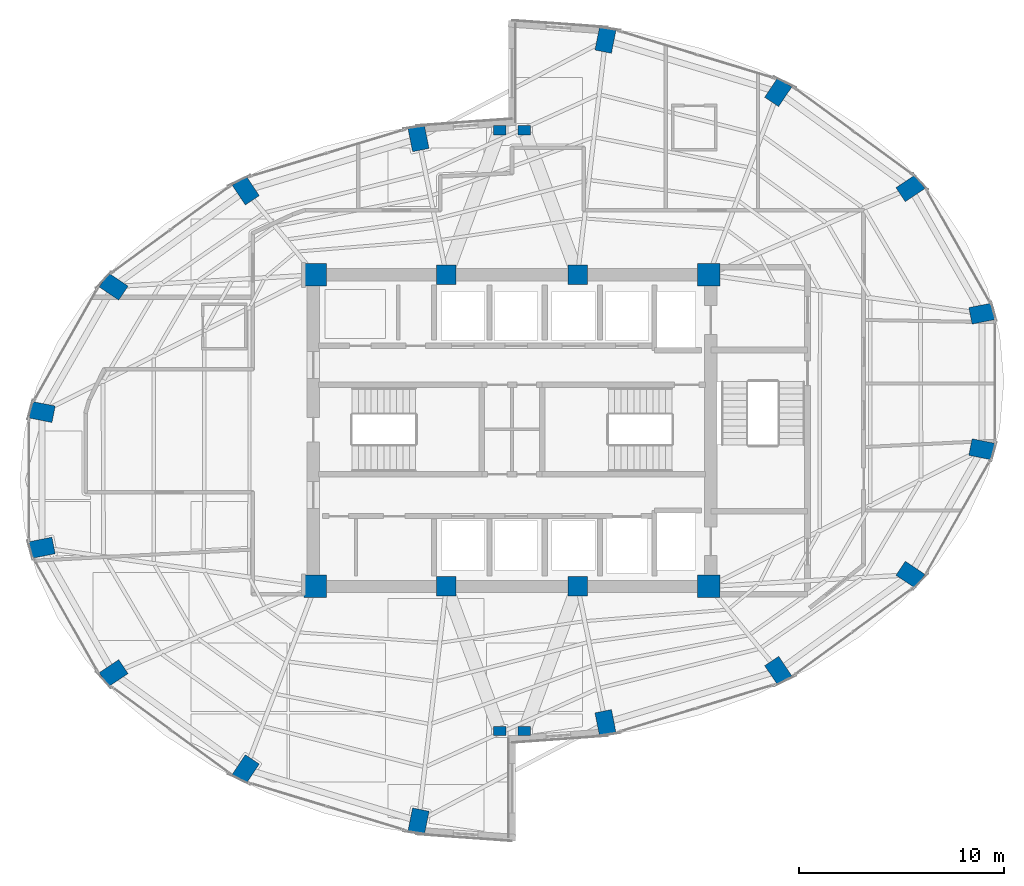
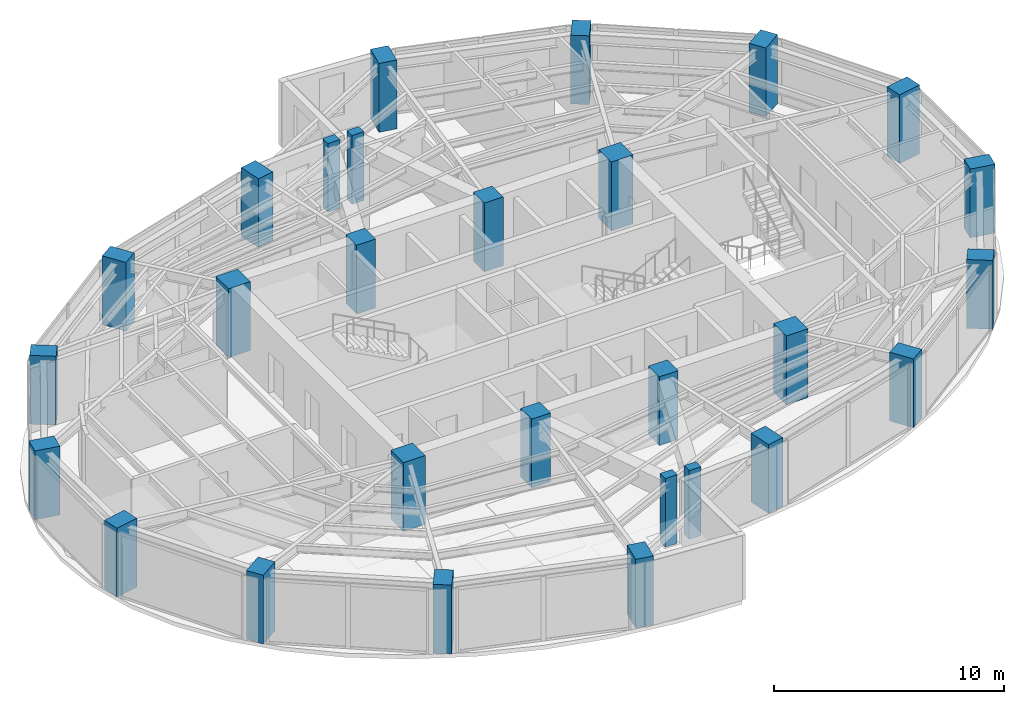
# One storey, part 1 of 20: 28 columns.
"""IFC4 building model written with IfcOpenShell, lengths in metres."""

from ifc_helpers import new_model, si_unit, direction, frame, origin, origin_2d, place, context, subcontext, project, spatial, rectangle, extrude, material, material_profile, profile_set, type_object, element, save


model = new_model("IFC4")

# Units and contexts
model_context = context("Model", 3, precision=1e-05, world=origin(), true_north=direction((0.0, 1.0)))
body_context = subcontext(model_context, "Body", "Model", "MODEL_VIEW")
ifc_project = project(units=[si_unit("LENGTHUNIT", "METRE"), si_unit("AREAUNIT", "SQUARE_METRE"), si_unit("VOLUMEUNIT", "CUBIC_METRE"), si_unit("PLANEANGLEUNIT", "RADIAN"), si_unit("MASSUNIT", "GRAM", prefix="KILO")], contexts=[model_context])

# Site, building, storey
site_placement = place(None, origin())
site = spatial("IfcSite", under=ifc_project, at=site_placement, CompositionType="ELEMENT")
building_placement = place(site_placement, origin())
building = spatial("IfcBuilding", under=site, at=building_placement, Name="Lazwardi Medical Tower", CompositionType="ELEMENT")
storey_placement = place(building_placement, frame((0.0, 0.0, 141.93603515625)))
storey = spatial("IfcBuildingStorey", under=building, at=storey_placement, Name="L36", CompositionType="ELEMENT", Elevation=141.93603515625)

# Columns
ifc_material_1 = material(Name="Concrete C80/95", Category="concrete")
ifc_material_profile_1 = material_profile(ifc_material_1, rectangle(XDim=1.10009765625, YDim=1.10009765625, at=origin_2d()), Name="RC 1100x1100")
ifc_profile_set_1 = profile_set([ifc_material_profile_1], Name="Concrete C80/95")
column_type_1 = type_object("IfcColumnType", Name="COL-CC-L", PredefinedType="COLUMN", material=ifc_profile_set_1)
for number, where, z_axis, x_axis, name in (
    (1, (26.39990234375, 20.39990234375, 0.0), (0.0, 0.0, 1.0), (1.0, 0.0, 0.0), "Core column CC-01 CC1 L36"),
    (2, (45.60009765625, 20.39990234375, 0.0), (0.0, 0.0, 1.0), (1.0, 0.0, 0.0), "Core column CC-01 CC4 L36"),
    (3, (45.60009765625, 35.60009765625, 0.0), (0.0, 0.0, 1.0), (1.0, 0.0, 0.0), "Core column CC-01 CC5 L36"),
    (4, (26.39990234375, 35.60009765625, 0.0), (0.0, 0.0, 1.0), (1.0, 0.0, 0.0), "Core column CC-01 CC8 L36"),
):
    element("IfcColumn", number, at=place(storey_placement, frame(where, z_axis=z_axis, x_axis=x_axis)), inside=storey, type_object=column_type_1, Name=name, PredefinedType="COLUMN", context=body_context, shape_type="SweptSolid", body=[
        extrude(rectangle(XDim=1.10009765625, YDim=1.10009765625, at=origin_2d()), origin(), (0.0, 0.0, 1.0), 3.64794921875),
    ])
ifc_material_2 = material(Name="Concrete C70/85", Category="concrete")
ifc_material_profile_2 = material_profile(ifc_material_2, rectangle(XDim=0.949951171875, YDim=0.949951171875, at=origin_2d()), Name="RC 950x950")
ifc_profile_set_2 = profile_set([ifc_material_profile_2], Name="Concrete C70/85")
column_type_2 = type_object("IfcColumnType", Name="COL-CC-M", PredefinedType="COLUMN", material=ifc_profile_set_2)
for number, where, z_axis, x_axis, name in (
    (5, (32.800048828125, 20.39990234375, 0.0), (0.0, 0.0, 1.0), (1.0, 0.0, 0.0), "Core column CC-02 CC2 L36"),
    (6, (39.199951171875, 20.39990234375, 0.0), (0.0, 0.0, 1.0), (1.0, 0.0, 0.0), "Core column CC-02 CC3 L36"),
    (7, (39.199951171875, 35.60009765625, 0.0), (0.0, 0.0, 1.0), (1.0, 0.0, 0.0), "Core column CC-02 CC6 L36"),
    (8, (32.800048828125, 35.60009765625, 0.0), (0.0, 0.0, 1.0), (1.0, 0.0, 0.0), "Core column CC-02 CC7 L36"),
):
    element("IfcColumn", number, at=place(storey_placement, frame(where, z_axis=z_axis, x_axis=x_axis)), inside=storey, type_object=column_type_2, Name=name, PredefinedType="COLUMN", context=body_context, shape_type="SweptSolid", body=[
        extrude(rectangle(XDim=0.949951171875, YDim=0.949951171875, at=origin_2d()), origin(), (0.0, 0.0, 1.0), 3.64794921875),
    ])
ifc_material_3 = material(Name="Concrete C60/75", Category="concrete")
ifc_material_profile_3 = material_profile(ifc_material_3, rectangle(XDim=1.14990234375, YDim=0.820068359375, at=origin_2d()), Name="CFT-RECT 1150x820")
ifc_profile_set_3 = profile_set([ifc_material_profile_3], Name="Concrete C60/75")
column_type_3 = type_object("IfcColumnType", Name="COL-MC-Z3", PredefinedType="COLUMN", material=ifc_profile_set_3)
for number, where, z_axis, x_axis, name in (
    (9, (40.560302734375, 13.751220703125, 0.0), (0.0, 0.0, 1.0), (0.195090322016, -0.980785280403, 0.0), "Mega column MC-05 M01 L36"),
    (10, (48.986572265625, 16.285888671875, 0.0), (0.0, 0.0, 1.0), (0.55557023302, -0.831469612303, 0.0), "Mega column MC-05 M02 L36"),
    (11, (55.435546875, 20.96923828125, 0.0), (0.0, 0.0, 1.0), (0.831469612303, -0.55557023302, 0.0), "Mega column MC-05 M03 L36"),
    (12, (58.92578125, 27.08837890625, 0.0), (0.0, 0.0, 1.0), (0.980785280403, -0.195090322016, 0.0), "Mega column MC-05 M04 L36"),
    (13, (58.92578125, 33.711669921875, 0.0), (0.0, 0.0, 1.0), (0.980785280403, 0.195090322016, 0.0), "Mega column MC-05 M05 L36"),
    (14, (55.435546875, 39.830810546875, 0.0), (0.0, 0.0, 1.0), (0.831469612303, 0.55557023302, 0.0), "Mega column MC-05 M06 L36"),
    (15, (48.986572265625, 44.51416015625, 0.0), (0.0, 0.0, 1.0), (0.55557023302, 0.831469612303, 0.0), "Mega column MC-05 M07 L36"),
    (16, (40.560302734375, 47.048828125, 0.0), (0.0, 0.0, 1.0), (0.195090322016, 0.980785280403, 0.0), "Mega column MC-05 M08 L36"),
    (17, (31.439697265625, 42.248779296875, 0.0), (0.0, 0.0, 1.0), (-0.195090322016, 0.980785280403, 0.0), "Mega column MC-05 M09 L36"),
    (18, (23.013427734375, 39.714111328125, 0.0), (0.0, 0.0, 1.0), (-0.55557023302, 0.831469612303, 0.0), "Mega column MC-05 M10 L36"),
    (19, (16.564453125, 35.03076171875, 0.0), (0.0, 0.0, 1.0), (-0.831469612303, 0.55557023302, 0.0), "Mega column MC-05 M11 L36"),
    (20, (13.07421875, 28.91162109375, 0.0), (0.0, 0.0, 1.0), (-0.980785280403, 0.195090322016, 0.0), "Mega column MC-05 M12 L36"),
    (21, (13.07421875, 22.288330078125, 0.0), (0.0, 0.0, 1.0), (-0.980785280403, -0.195090322016, 0.0), "Mega column MC-05 M13 L36"),
    (22, (16.564453125, 16.169189453125, 0.0), (0.0, 0.0, 1.0), (-0.831469612303, -0.55557023302, 0.0), "Mega column MC-05 M14 L36"),
    (23, (23.013427734375, 11.48583984375, 0.0), (0.0, 0.0, 1.0), (-0.55557023302, -0.831469612303, 0.0), "Mega column MC-05 M15 L36"),
    (24, (31.439697265625, 8.951171875, 0.0), (0.0, 0.0, 1.0), (-0.195090322016, -0.980785280403, 0.0), "Mega column MC-05 M16 L36"),
):
    element("IfcColumn", number, at=place(storey_placement, frame(where, z_axis=z_axis, x_axis=x_axis)), inside=storey, type_object=column_type_3, Name=name, PredefinedType="COLUMN", context=body_context, shape_type="SweptSolid", body=[
        extrude(rectangle(XDim=1.14990234375, YDim=0.820068359375, at=origin_2d()), origin(), (0.0, 0.0, 1.0), 3.64794921875),
    ])
ifc_material_profile_4 = material_profile(ifc_material_3, rectangle(XDim=0.60009765625, YDim=0.449951171875, at=origin_2d()), Name="RC 600x450")
ifc_profile_set_4 = profile_set([ifc_material_profile_4], Name="Concrete C60/75")
column_type_4 = type_object("IfcColumnType", Name="COL-PL-IW", PredefinedType="PILASTER", material=ifc_profile_set_4)
for number, where, z_axis, x_axis, name in (
    (25, (35.39990234375, 42.64990234375, 0.0), (0.0, 0.0, 1.0), (1.0, 0.0, 0.0), "Iwan pilaster column PL-C1 PL1 L36"),
    (26, (36.60009765625, 42.64990234375, 0.0), (0.0, 0.0, 1.0), (1.0, 0.0, 0.0), "Iwan pilaster column PL-C1 PL2 L36"),
    (27, (35.39990234375, 13.35009765625, 0.0), (0.0, 0.0, 1.0), (1.0, 0.0, 0.0), "Iwan pilaster column PL-C1 PL3 L36"),
    (28, (36.60009765625, 13.35009765625, 0.0), (0.0, 0.0, 1.0), (1.0, 0.0, 0.0), "Iwan pilaster column PL-C1 PL4 L36"),
):
    element("IfcColumn", number, at=place(storey_placement, frame(where, z_axis=z_axis, x_axis=x_axis)), inside=storey, type_object=column_type_4, Name=name, PredefinedType="PILASTER", context=body_context, shape_type="SweptSolid", body=[
        extrude(rectangle(XDim=0.60009765625, YDim=0.449951171875, at=origin_2d()), origin(), (0.0, 0.0, 1.0), 3.64794921875),
    ])

save(model, "model.ifc")
